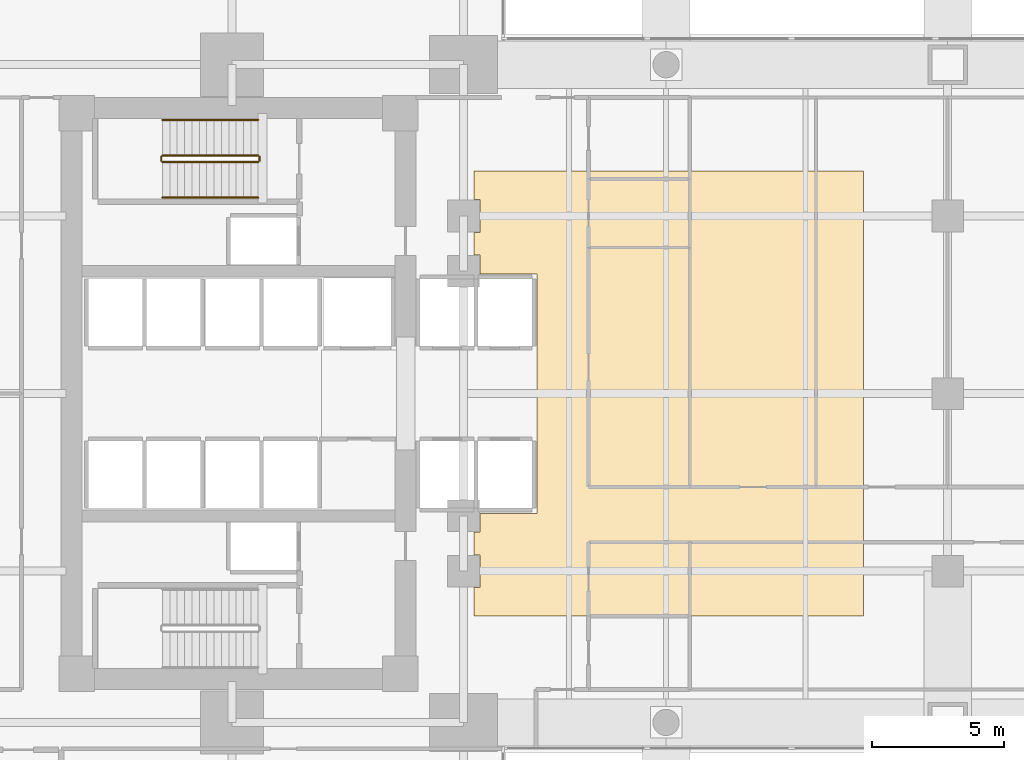
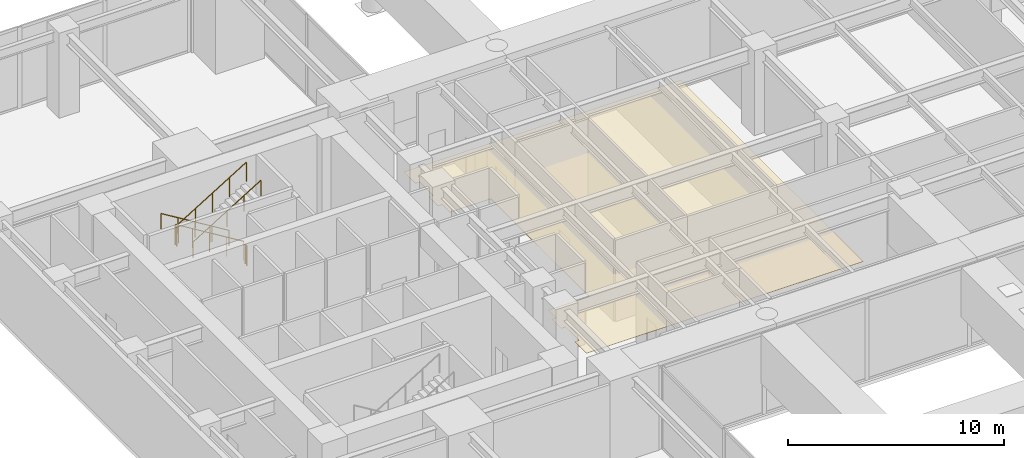
# One storey, part 13 of 13: 6 railings, 1 covering.
"""IFC4 building model written with IfcOpenShell, lengths in metres."""

from ifc_helpers import new_model, si_unit, direction, frame, origin, origin_2d, place, context, subcontext, project, spatial, polyline, circle, outline, extrude, material, layer, layer_set, type_object, element, save


model = new_model("IFC4")

# Units and contexts
model_context = context("Model", 3, precision=1e-05, world=origin(), true_north=direction((0.0, 1.0)))
body_context = subcontext(model_context, "Body", "Model", "MODEL_VIEW")
ifc_project = project(units=[si_unit("LENGTHUNIT", "METRE"), si_unit("AREAUNIT", "SQUARE_METRE"), si_unit("VOLUMEUNIT", "CUBIC_METRE"), si_unit("PLANEANGLEUNIT", "RADIAN"), si_unit("MASSUNIT", "GRAM", prefix="KILO")], contexts=[model_context])

# Site, building, storey
site_placement = place(None, origin())
site = spatial("IfcSite", under=ifc_project, at=site_placement, CompositionType="ELEMENT")
building_placement = place(site_placement, origin())
building = spatial("IfcBuilding", under=site, at=building_placement, Name="Kinhvarn Gate Tower", CompositionType="ELEMENT")
storey_placement = place(building_placement, frame((0.0, 0.0, 15.60009765625)))
storey = spatial("IfcBuildingStorey", under=building, at=storey_placement, Name="L03", CompositionType="ELEMENT", Elevation=15.60009765625)

# Covering
ifc_material_1 = material(Name="Mineral-fibre acoustic ceiling tile")
ifc_layer = layer(ifc_material_1, 0.02001953125)
ifc_layer_set = layer_set([ifc_layer], Name="Mineral-fibre acoustic ceiling tile")
covering_type = type_object("IfcCoveringType", Name="COV-CEIL-20", PredefinedType="CEILING", material=ifc_layer_set)
covering_placement = place(storey_placement, frame((0.0, 0.0, 2.64990234375)))
element("IfcCovering", 1, at=covering_placement, inside=storey, type_object=covering_type, Name="Suspended Acoustic Ceiling Tile (L03-1)", PredefinedType="CEILING", context=body_context, shape_type="SweptSolid", body=[
    extrude(outline(polyline([(35.0, 33.699951171875), (35.0, 16.800048828125), (20.199951171875, 16.800048828125), (20.199951171875, 17.8798828125), (20.419921875, 17.8798828125), (20.419921875, 19.1201171875), (20.199951171875, 19.1201171875), (20.199951171875, 19.97998046875), (20.419921875, 19.97998046875), (20.419921875, 20.699951171875), (22.60009765625, 20.699951171875), (22.60009765625, 29.800048828125), (20.419921875, 29.800048828125), (20.419921875, 30.52001953125), (20.199951171875, 30.52001953125), (20.199951171875, 31.3798828125), (20.419921875, 31.3798828125), (20.419921875, 32.6201171875), (20.199951171875, 32.6201171875), (20.199951171875, 33.699951171875), (35.0, 33.699951171875)])), origin(), (0.0, 0.0, 1.0), 0.02001953125),
])

# Railings
ifc_material_2 = material(Name="Steel S355", Category="steel")
railing_type_1 = type_object("IfcRailingType", Name="RL-ST-GRD", PredefinedType="BALUSTRADE", material=ifc_material_2)
railing_1_placement = place(storey_placement, frame((12.0, 34.300048828125, 0.17138671875)))
element("IfcRailing", 2, at=railing_1_placement, inside=storey, type_object=railing_type_1, Name="L03 ST2 stair guard 1", PredefinedType="BALUSTRADE", context=body_context, shape_type="SweptSolid", body=[
    extrude(circle(Radius=0.02392578125, at=origin_2d()), frame((0.0, 0.0, 1.076171875), z_axis=(-0.852850264322, 0.0, 0.5221555579), x_axis=(0.0, -1.0, 0.0)), (0.0, 0.0, 1.0), 4.267822265625),
    extrude(circle(Radius=0.02099609375, at=origin_2d()), origin(), (0.0, 0.0, 1.0), 1.052001953125),
    extrude(circle(Radius=0.02099609375, at=origin_2d()), frame((-0.909912109375, 0.0, 0.55712890625)), (0.0, 0.0, 1.0), 1.052001953125),
    extrude(circle(Radius=0.02099609375, at=origin_2d()), frame((-1.81982421875, 0.0, 1.1142578125)), (0.0, 0.0, 1.0), 1.052001953125),
    extrude(circle(Radius=0.02099609375, at=origin_2d()), frame((-2.72998046875, 0.0, 1.67138671875)), (0.0, 0.0, 1.0), 1.052001953125),
    extrude(circle(Radius=0.02099609375, at=origin_2d()), frame((-3.639892578125, 0.0, 2.228515625)), (0.0, 0.0, 1.0), 1.052001953125),
])
railing_2_placement = place(storey_placement, frame((8.31005859375, 34.25, 2.39990234375)))
element("IfcRailing", 3, at=railing_2_placement, inside=storey, type_object=railing_type_1, Name="L03 ST2 stair guard 2", PredefinedType="BALUSTRADE", context=body_context, shape_type="SweptSolid", body=[
    extrude(circle(Radius=0.02392578125, at=origin_2d()), frame((0.0, 0.0, 1.076171875), z_axis=(0.0, -1.0, 0.0), x_axis=(1.0, 0.0, 0.0)), (0.0, 0.0, 1.0), 0.14990234375),
    extrude(circle(Radius=0.02099609375, at=origin_2d()), origin(), (0.0, 0.0, 1.0), 1.052001953125),
    extrude(circle(Radius=0.02099609375, at=origin_2d()), frame((0.0, -0.14990234375, 0.0)), (0.0, 0.0, 1.0), 1.052001953125),
])
railing_3_placement = place(storey_placement, frame((8.360107421875, 34.050048828125, 2.5712890625)))
element("IfcRailing", 4, at=railing_3_placement, inside=storey, type_object=railing_type_1, Name="L03 ST2 stair guard 3", PredefinedType="BALUSTRADE", context=body_context, shape_type="SweptSolid", body=[
    extrude(circle(Radius=0.02392578125, at=origin_2d()), frame((0.0, 0.0, 1.076171875), z_axis=(0.852850264322, 0.0, 0.5221555579), x_axis=(0.0, 1.0, 0.0)), (0.0, 0.0, 1.0), 4.267822265625),
    extrude(circle(Radius=0.02099609375, at=origin_2d()), origin(), (0.0, 0.0, 1.0), 1.052001953125),
    extrude(circle(Radius=0.02099609375, at=origin_2d()), frame((0.909912109375, 0.0, 0.55712890625)), (0.0, 0.0, 1.0), 1.052001953125),
    extrude(circle(Radius=0.02099609375, at=origin_2d()), frame((1.81982421875, 0.0, 1.1142578125)), (0.0, 0.0, 1.0), 1.052001953125),
    extrude(circle(Radius=0.02099609375, at=origin_2d()), frame((2.72998046875, 0.0, 1.67138671875)), (0.0, 0.0, 1.0), 1.052001953125),
    extrude(circle(Radius=0.02099609375, at=origin_2d()), frame((3.639892578125, 0.0, 2.228515625)), (0.0, 0.0, 1.0), 1.052001953125),
])
railing_4_placement = place(storey_placement, frame((12.050048828125, 34.25, 0.0)))
element("IfcRailing", 5, at=railing_4_placement, inside=storey, type_object=railing_type_1, Name="L03 ST2 stair guard 4", PredefinedType="BALUSTRADE", context=body_context, shape_type="SweptSolid", body=[
    extrude(circle(Radius=0.02392578125, at=origin_2d()), frame((0.0, 0.0, 1.076171875), z_axis=(0.0, -1.0, 0.0), x_axis=(1.0, 0.0, 0.0)), (0.0, 0.0, 1.0), 0.14990234375),
    extrude(circle(Radius=0.02099609375, at=origin_2d()), origin(), (0.0, 0.0, 1.0), 1.052001953125),
    extrude(circle(Radius=0.02099609375, at=origin_2d()), frame((0.0, -0.14990234375, 0.0)), (0.0, 0.0, 1.0), 1.052001953125),
])
railing_type_2 = type_object("IfcRailingType", Name="RL-ST-HND", PredefinedType="HANDRAIL", material=ifc_material_2)
railing_5_placement = place(storey_placement, frame((12.0, 35.64990234375, 0.17138671875)))
element("IfcRailing", 6, at=railing_5_placement, inside=storey, type_object=railing_type_2, Name="L03 ST2 stair handrail 1", PredefinedType="HANDRAIL", context=body_context, shape_type="SweptSolid", body=[
    extrude(circle(Radius=0.02392578125, at=origin_2d()), frame((0.0, 0.0, 0.8759765625), z_axis=(-0.852850264322, 0.0, 0.5221555579), x_axis=(0.0, -1.0, 0.0)), (0.0, 0.0, 1.0), 4.267822265625),
    extrude(circle(Radius=0.02099609375, at=origin_2d()), origin(), (0.0, 0.0, 1.0), 0.851806640625),
    extrude(circle(Radius=0.02099609375, at=origin_2d()), frame((-0.909912109375, 0.0, 0.55712890625)), (0.0, 0.0, 1.0), 0.851806640625),
    extrude(circle(Radius=0.02099609375, at=origin_2d()), frame((-1.81982421875, 0.0, 1.1142578125)), (0.0, 0.0, 1.0), 0.851806640625),
    extrude(circle(Radius=0.02099609375, at=origin_2d()), frame((-2.72998046875, 0.0, 1.67138671875)), (0.0, 0.0, 1.0), 0.851806640625),
    extrude(circle(Radius=0.02099609375, at=origin_2d()), frame((-3.639892578125, 0.0, 2.228515625)), (0.0, 0.0, 1.0), 0.851806640625),
])
railing_6_placement = place(storey_placement, frame((8.360107421875, 32.699951171875, 2.5712890625)))
element("IfcRailing", 7, at=railing_6_placement, inside=storey, type_object=railing_type_2, Name="L03 ST2 stair handrail 2", PredefinedType="HANDRAIL", context=body_context, shape_type="SweptSolid", body=[
    extrude(circle(Radius=0.02392578125, at=origin_2d()), frame((0.0, 0.0, 0.8759765625), z_axis=(0.852850264322, 0.0, 0.5221555579), x_axis=(0.0, 1.0, 0.0)), (0.0, 0.0, 1.0), 4.267822265625),
    extrude(circle(Radius=0.02099609375, at=origin_2d()), origin(), (0.0, 0.0, 1.0), 0.851806640625),
    extrude(circle(Radius=0.02099609375, at=origin_2d()), frame((0.909912109375, 0.0, 0.55712890625)), (0.0, 0.0, 1.0), 0.851806640625),
    extrude(circle(Radius=0.02099609375, at=origin_2d()), frame((1.81982421875, 0.0, 1.1142578125)), (0.0, 0.0, 1.0), 0.851806640625),
    extrude(circle(Radius=0.02099609375, at=origin_2d()), frame((2.72998046875, 0.0, 1.67138671875)), (0.0, 0.0, 1.0), 0.851806640625),
    extrude(circle(Radius=0.02099609375, at=origin_2d()), frame((3.639892578125, 0.0, 2.228515625)), (0.0, 0.0, 1.0), 0.851806640625),
])

save(model, "model.ifc")
